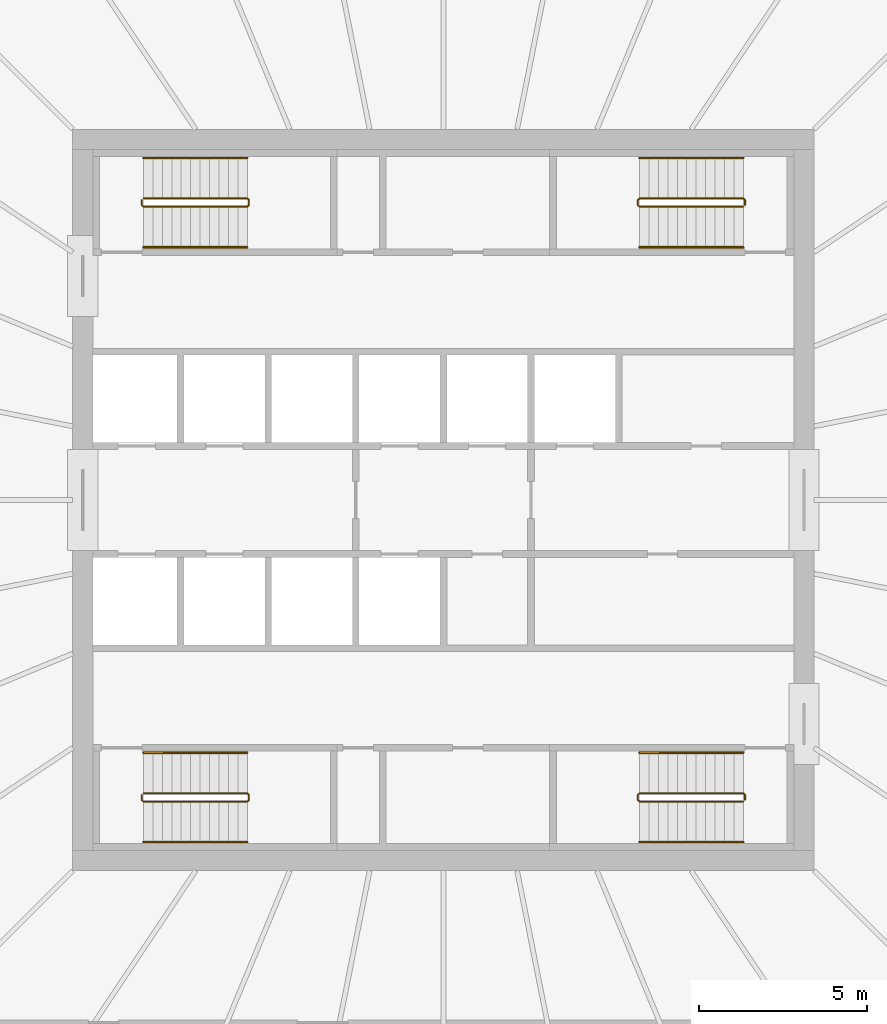
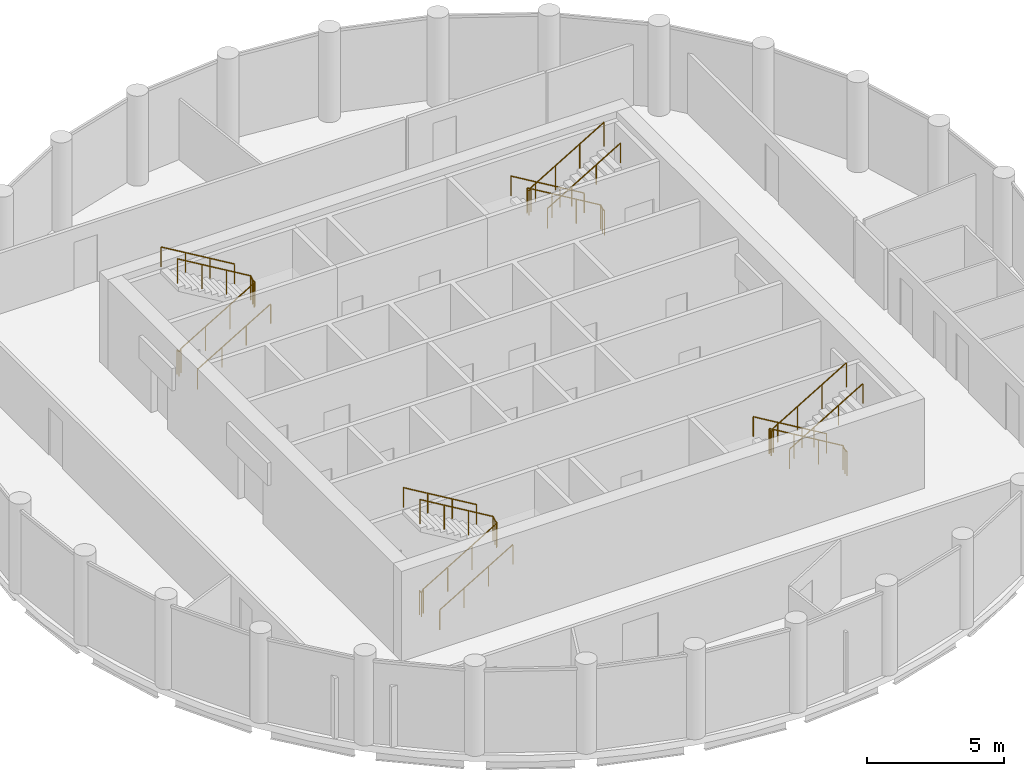
# One storey, part 7 of 7: 12 railings.
"""IFC4 building model written with IfcOpenShell, lengths in metres."""

from ifc_helpers import new_model, si_unit, direction, frame, origin, origin_2d, place, context, subcontext, project, spatial, circle, extrude, material, type_object, element, save


model = new_model("IFC4")

# Units and contexts
model_context = context("Model", 3, precision=1e-05, world=origin(), true_north=direction((0.0, 1.0)))
body_context = subcontext(model_context, "Body", "Model", "MODEL_VIEW")
ifc_project = project(units=[si_unit("LENGTHUNIT", "METRE"), si_unit("AREAUNIT", "SQUARE_METRE"), si_unit("VOLUMEUNIT", "CUBIC_METRE"), si_unit("PLANEANGLEUNIT", "RADIAN"), si_unit("MASSUNIT", "GRAM", prefix="KILO")], contexts=[model_context])

# Site, building, storey
site_placement = place(None, origin())
site = spatial("IfcSite", under=ifc_project, at=site_placement, CompositionType="ELEMENT")
building_placement = place(site_placement, origin())
building = spatial("IfcBuilding", under=site, at=building_placement, Name="Corvane Civic Tower", CompositionType="ELEMENT")
storey_placement = place(building_placement, frame((0.0, 0.0, 352.5)))
storey = spatial("IfcBuildingStorey", under=building, at=storey_placement, Name="L84", CompositionType="ELEMENT", Elevation=352.5)

# Railings
ifc_material_1 = material(Name="Steel ASTM A572 Gr 50", Category="steel")
railing_type_1 = type_object("IfcRailingType", Name="ST-GUARD-1100", PredefinedType="GUARDRAIL", material=ifc_material_1)
railing_1_placement = place(storey_placement, frame((8.949951171875, 8.75, 0.0)))
element("IfcRailing", 1, at=railing_1_placement, inside=storey, type_object=railing_type_1, Name="L84 ST1 stair guard 1", PredefinedType="GUARDRAIL", context=body_context, shape_type="SweptSolid", body=[
    extrude(circle(Radius=0.02392578125, at=origin_2d()), frame((0.0, 0.0, 1.076171875), z_axis=(0.0, 1.0, 0.0), x_axis=(-1.0, 0.0, 0.0)), (0.0, 0.0, 1.0), 0.14990234375),
    extrude(circle(Radius=0.02392578125, at=origin_2d()), frame((0.0, 0.14990234375, 1.076171875), z_axis=(-0.27628659633, 0.27628659633, 0.920506074601), x_axis=(-0.707106781187, -0.707106781187, 0.0)), (0.0, 0.0, 1.0), 0.18115234375),
    extrude(circle(Radius=0.02392578125, at=origin_2d()), frame((-0.050048828125, 0.199951171875, 1.24267578125), z_axis=(-0.859290745958, 0.0, 0.51148745235), x_axis=(0.0, -1.0, 0.0)), (0.0, 0.0, 1.0), 3.584228515625),
    extrude(circle(Radius=0.02392578125, at=origin_2d()), frame((-3.1298828125, 0.199951171875, 3.076171875), z_axis=(-0.707106781187, -0.707106781187, 0.0), x_axis=(0.707106781187, -0.707106781187, 0.0)), (0.0, 0.0, 1.0), 0.07080078125),
    extrude(circle(Radius=0.02392578125, at=origin_2d()), frame((-3.179931640625, 0.14990234375, 3.076171875), z_axis=(0.0, -1.0, 0.0), x_axis=(1.0, 0.0, 0.0)), (0.0, 0.0, 1.0), 0.14990234375),
    extrude(circle(Radius=0.02392578125, at=origin_2d()), frame((-3.179931640625, 0.0, 3.076171875), z_axis=(0.27628659633, -0.27628659633, 0.920506074601), x_axis=(0.707106781187, 0.707106781187, 0.0)), (0.0, 0.0, 1.0), 0.18115234375),
    extrude(circle(Radius=0.02392578125, at=origin_2d()), frame((-3.1298828125, -0.050048828125, 3.24267578125), z_axis=(0.859290745958, 0.0, 0.51148745235), x_axis=(0.0, 1.0, 0.0)), (0.0, 0.0, 1.0), 3.584228515625),
    extrude(circle(Radius=0.02099609375, at=origin_2d()), origin(), (0.0, 0.0, 1.0), 1.052001953125),
    extrude(circle(Radius=0.02099609375, at=origin_2d()), frame((0.0, 0.14990234375, 0.0)), (0.0, 0.0, 1.0), 1.052001953125),
    extrude(circle(Radius=0.02099609375, at=origin_2d()), frame((-0.050048828125, 0.199951171875, 0.166748046875)), (0.0, 0.0, 1.0), 1.052001953125),
    extrude(circle(Radius=0.02099609375, at=origin_2d()), frame((-1.07666015625, 0.199951171875, 0.77783203125)), (0.0, 0.0, 1.0), 1.052001953125),
    extrude(circle(Radius=0.02099609375, at=origin_2d()), frame((-2.103271484375, 0.199951171875, 1.388916015625)), (0.0, 0.0, 1.0), 1.052001953125),
    extrude(circle(Radius=0.02099609375, at=origin_2d()), frame((-3.1298828125, 0.199951171875, 2.0)), (0.0, 0.0, 1.0), 1.052001953125),
    extrude(circle(Radius=0.02099609375, at=origin_2d()), frame((-3.179931640625, 0.14990234375, 2.0)), (0.0, 0.0, 1.0), 1.052001953125),
    extrude(circle(Radius=0.02099609375, at=origin_2d()), frame((-3.179931640625, 0.0, 2.0)), (0.0, 0.0, 1.0), 1.052001953125),
    extrude(circle(Radius=0.02099609375, at=origin_2d()), frame((-3.1298828125, -0.050048828125, 2.166748046875)), (0.0, 0.0, 1.0), 1.052001953125),
    extrude(circle(Radius=0.02099609375, at=origin_2d()), frame((-2.103271484375, -0.050048828125, 2.77783203125)), (0.0, 0.0, 1.0), 1.052001953125),
    extrude(circle(Radius=0.02099609375, at=origin_2d()), frame((-1.07666015625, -0.050048828125, 3.388916015625)), (0.0, 0.0, 1.0), 1.052001953125),
    extrude(circle(Radius=0.02099609375, at=origin_2d()), frame((-0.050048828125, -0.050048828125, 4.0)), (0.0, 0.0, 1.0), 1.052001953125),
])
railing_2_placement = place(storey_placement, frame((8.949951171875, -8.89990234375, 0.0)))
element("IfcRailing", 2, at=railing_2_placement, inside=storey, type_object=railing_type_1, Name="L84 ST2 stair guard 1", PredefinedType="GUARDRAIL", context=body_context, shape_type="SweptSolid", body=[
    extrude(circle(Radius=0.02392578125, at=origin_2d()), frame((0.0, 0.0, 1.076171875), z_axis=(0.0, 1.0, 0.0), x_axis=(-1.0, 0.0, 0.0)), (0.0, 0.0, 1.0), 0.14990234375),
    extrude(circle(Radius=0.02392578125, at=origin_2d()), frame((0.0, 0.14990234375, 1.076171875), z_axis=(-0.27628659633, 0.27628659633, 0.920506074601), x_axis=(-0.707106781187, -0.707106781187, 0.0)), (0.0, 0.0, 1.0), 0.18115234375),
    extrude(circle(Radius=0.02392578125, at=origin_2d()), frame((-0.050048828125, 0.199951171875, 1.24267578125), z_axis=(-0.859290745958, 0.0, 0.51148745235), x_axis=(0.0, -1.0, 0.0)), (0.0, 0.0, 1.0), 3.584228515625),
    extrude(circle(Radius=0.02392578125, at=origin_2d()), frame((-3.1298828125, 0.199951171875, 3.076171875), z_axis=(-0.707106781187, -0.707106781187, 0.0), x_axis=(0.707106781187, -0.707106781187, 0.0)), (0.0, 0.0, 1.0), 0.07080078125),
    extrude(circle(Radius=0.02392578125, at=origin_2d()), frame((-3.179931640625, 0.14990234375, 3.076171875), z_axis=(0.0, -1.0, 0.0), x_axis=(1.0, 0.0, 0.0)), (0.0, 0.0, 1.0), 0.14990234375),
    extrude(circle(Radius=0.02392578125, at=origin_2d()), frame((-3.179931640625, 0.0, 3.076171875), z_axis=(0.27628659633, -0.27628659633, 0.920506074601), x_axis=(0.707106781187, 0.707106781187, 0.0)), (0.0, 0.0, 1.0), 0.18115234375),
    extrude(circle(Radius=0.02392578125, at=origin_2d()), frame((-3.1298828125, -0.050048828125, 3.24267578125), z_axis=(0.859290745958, 0.0, 0.51148745235), x_axis=(0.0, 1.0, 0.0)), (0.0, 0.0, 1.0), 3.584228515625),
    extrude(circle(Radius=0.02099609375, at=origin_2d()), origin(), (0.0, 0.0, 1.0), 1.052001953125),
    extrude(circle(Radius=0.02099609375, at=origin_2d()), frame((0.0, 0.14990234375, 0.0)), (0.0, 0.0, 1.0), 1.052001953125),
    extrude(circle(Radius=0.02099609375, at=origin_2d()), frame((-0.050048828125, 0.199951171875, 0.166748046875)), (0.0, 0.0, 1.0), 1.052001953125),
    extrude(circle(Radius=0.02099609375, at=origin_2d()), frame((-1.07666015625, 0.199951171875, 0.77783203125)), (0.0, 0.0, 1.0), 1.052001953125),
    extrude(circle(Radius=0.02099609375, at=origin_2d()), frame((-2.103271484375, 0.199951171875, 1.388916015625)), (0.0, 0.0, 1.0), 1.052001953125),
    extrude(circle(Radius=0.02099609375, at=origin_2d()), frame((-3.1298828125, 0.199951171875, 2.0)), (0.0, 0.0, 1.0), 1.052001953125),
    extrude(circle(Radius=0.02099609375, at=origin_2d()), frame((-3.179931640625, 0.14990234375, 2.0)), (0.0, 0.0, 1.0), 1.052001953125),
    extrude(circle(Radius=0.02099609375, at=origin_2d()), frame((-3.179931640625, 0.0, 2.0)), (0.0, 0.0, 1.0), 1.052001953125),
    extrude(circle(Radius=0.02099609375, at=origin_2d()), frame((-3.1298828125, -0.050048828125, 2.166748046875)), (0.0, 0.0, 1.0), 1.052001953125),
    extrude(circle(Radius=0.02099609375, at=origin_2d()), frame((-2.103271484375, -0.050048828125, 2.77783203125)), (0.0, 0.0, 1.0), 1.052001953125),
    extrude(circle(Radius=0.02099609375, at=origin_2d()), frame((-1.07666015625, -0.050048828125, 3.388916015625)), (0.0, 0.0, 1.0), 1.052001953125),
    extrude(circle(Radius=0.02099609375, at=origin_2d()), frame((-0.050048828125, -0.050048828125, 4.0)), (0.0, 0.0, 1.0), 1.052001953125),
])
railing_3_placement = place(storey_placement, frame((-8.949951171875, -8.75, 0.0)))
element("IfcRailing", 3, at=railing_3_placement, inside=storey, type_object=railing_type_1, Name="L84 ST3 stair guard 1", PredefinedType="GUARDRAIL", context=body_context, shape_type="SweptSolid", body=[
    extrude(circle(Radius=0.02392578125, at=origin_2d()), frame((0.0, 0.0, 1.076171875), z_axis=(0.0, -1.0, 0.0), x_axis=(1.0, 0.0, 0.0)), (0.0, 0.0, 1.0), 0.14990234375),
    extrude(circle(Radius=0.02392578125, at=origin_2d()), frame((0.0, -0.14990234375, 1.076171875), z_axis=(0.27628659633, -0.27628659633, 0.920506074601), x_axis=(0.707106781187, 0.707106781187, 0.0)), (0.0, 0.0, 1.0), 0.18115234375),
    extrude(circle(Radius=0.02392578125, at=origin_2d()), frame((0.050048828125, -0.199951171875, 1.24267578125), z_axis=(0.859290745958, 0.0, 0.51148745235), x_axis=(0.0, 1.0, 0.0)), (0.0, 0.0, 1.0), 3.584228515625),
    extrude(circle(Radius=0.02392578125, at=origin_2d()), frame((3.1298828125, -0.199951171875, 3.076171875), z_axis=(0.707106781187, 0.707106781187, 0.0), x_axis=(-0.707106781187, 0.707106781187, 0.0)), (0.0, 0.0, 1.0), 0.07080078125),
    extrude(circle(Radius=0.02392578125, at=origin_2d()), frame((3.179931640625, -0.14990234375, 3.076171875), z_axis=(0.0, 1.0, 0.0), x_axis=(-1.0, 0.0, 0.0)), (0.0, 0.0, 1.0), 0.14990234375),
    extrude(circle(Radius=0.02392578125, at=origin_2d()), frame((3.179931640625, 0.0, 3.076171875), z_axis=(-0.27628659633, 0.27628659633, 0.920506074601), x_axis=(-0.707106781187, -0.707106781187, 0.0)), (0.0, 0.0, 1.0), 0.18115234375),
    extrude(circle(Radius=0.02392578125, at=origin_2d()), frame((3.1298828125, 0.050048828125, 3.24267578125), z_axis=(-0.859290745958, 0.0, 0.51148745235), x_axis=(0.0, -1.0, 0.0)), (0.0, 0.0, 1.0), 3.584228515625),
    extrude(circle(Radius=0.02099609375, at=origin_2d()), origin(), (0.0, 0.0, 1.0), 1.052001953125),
    extrude(circle(Radius=0.02099609375, at=origin_2d()), frame((0.0, -0.14990234375, 0.0)), (0.0, 0.0, 1.0), 1.052001953125),
    extrude(circle(Radius=0.02099609375, at=origin_2d()), frame((0.050048828125, -0.199951171875, 0.166748046875)), (0.0, 0.0, 1.0), 1.052001953125),
    extrude(circle(Radius=0.02099609375, at=origin_2d()), frame((1.07666015625, -0.199951171875, 0.77783203125)), (0.0, 0.0, 1.0), 1.052001953125),
    extrude(circle(Radius=0.02099609375, at=origin_2d()), frame((2.103271484375, -0.199951171875, 1.388916015625)), (0.0, 0.0, 1.0), 1.052001953125),
    extrude(circle(Radius=0.02099609375, at=origin_2d()), frame((3.1298828125, -0.199951171875, 2.0)), (0.0, 0.0, 1.0), 1.052001953125),
    extrude(circle(Radius=0.02099609375, at=origin_2d()), frame((3.179931640625, -0.14990234375, 2.0)), (0.0, 0.0, 1.0), 1.052001953125),
    extrude(circle(Radius=0.02099609375, at=origin_2d()), frame((3.179931640625, 0.0, 2.0)), (0.0, 0.0, 1.0), 1.052001953125),
    extrude(circle(Radius=0.02099609375, at=origin_2d()), frame((3.1298828125, 0.050048828125, 2.166748046875)), (0.0, 0.0, 1.0), 1.052001953125),
    extrude(circle(Radius=0.02099609375, at=origin_2d()), frame((2.103271484375, 0.050048828125, 2.77783203125)), (0.0, 0.0, 1.0), 1.052001953125),
    extrude(circle(Radius=0.02099609375, at=origin_2d()), frame((1.07666015625, 0.050048828125, 3.388916015625)), (0.0, 0.0, 1.0), 1.052001953125),
    extrude(circle(Radius=0.02099609375, at=origin_2d()), frame((0.050048828125, 0.050048828125, 4.0)), (0.0, 0.0, 1.0), 1.052001953125),
])
railing_4_placement = place(storey_placement, frame((-8.949951171875, 8.89990234375, 0.0)))
element("IfcRailing", 4, at=railing_4_placement, inside=storey, type_object=railing_type_1, Name="L84 ST4 stair guard 1", PredefinedType="GUARDRAIL", context=body_context, shape_type="SweptSolid", body=[
    extrude(circle(Radius=0.02392578125, at=origin_2d()), frame((0.0, 0.0, 1.076171875), z_axis=(0.0, -1.0, 0.0), x_axis=(1.0, 0.0, 0.0)), (0.0, 0.0, 1.0), 0.14990234375),
    extrude(circle(Radius=0.02392578125, at=origin_2d()), frame((0.0, -0.14990234375, 1.076171875), z_axis=(0.27628659633, -0.27628659633, 0.920506074601), x_axis=(0.707106781187, 0.707106781187, 0.0)), (0.0, 0.0, 1.0), 0.18115234375),
    extrude(circle(Radius=0.02392578125, at=origin_2d()), frame((0.050048828125, -0.199951171875, 1.24267578125), z_axis=(0.859290745958, 0.0, 0.51148745235), x_axis=(0.0, 1.0, 0.0)), (0.0, 0.0, 1.0), 3.584228515625),
    extrude(circle(Radius=0.02392578125, at=origin_2d()), frame((3.1298828125, -0.199951171875, 3.076171875), z_axis=(0.707106781187, 0.707106781187, 0.0), x_axis=(-0.707106781187, 0.707106781187, 0.0)), (0.0, 0.0, 1.0), 0.07080078125),
    extrude(circle(Radius=0.02392578125, at=origin_2d()), frame((3.179931640625, -0.14990234375, 3.076171875), z_axis=(0.0, 1.0, 0.0), x_axis=(-1.0, 0.0, 0.0)), (0.0, 0.0, 1.0), 0.14990234375),
    extrude(circle(Radius=0.02392578125, at=origin_2d()), frame((3.179931640625, 0.0, 3.076171875), z_axis=(-0.27628659633, 0.27628659633, 0.920506074601), x_axis=(-0.707106781187, -0.707106781187, 0.0)), (0.0, 0.0, 1.0), 0.18115234375),
    extrude(circle(Radius=0.02392578125, at=origin_2d()), frame((3.1298828125, 0.050048828125, 3.24267578125), z_axis=(-0.859290745958, 0.0, 0.51148745235), x_axis=(0.0, -1.0, 0.0)), (0.0, 0.0, 1.0), 3.584228515625),
    extrude(circle(Radius=0.02099609375, at=origin_2d()), origin(), (0.0, 0.0, 1.0), 1.052001953125),
    extrude(circle(Radius=0.02099609375, at=origin_2d()), frame((0.0, -0.14990234375, 0.0)), (0.0, 0.0, 1.0), 1.052001953125),
    extrude(circle(Radius=0.02099609375, at=origin_2d()), frame((0.050048828125, -0.199951171875, 0.166748046875)), (0.0, 0.0, 1.0), 1.052001953125),
    extrude(circle(Radius=0.02099609375, at=origin_2d()), frame((1.07666015625, -0.199951171875, 0.77783203125)), (0.0, 0.0, 1.0), 1.052001953125),
    extrude(circle(Radius=0.02099609375, at=origin_2d()), frame((2.103271484375, -0.199951171875, 1.388916015625)), (0.0, 0.0, 1.0), 1.052001953125),
    extrude(circle(Radius=0.02099609375, at=origin_2d()), frame((3.1298828125, -0.199951171875, 2.0)), (0.0, 0.0, 1.0), 1.052001953125),
    extrude(circle(Radius=0.02099609375, at=origin_2d()), frame((3.179931640625, -0.14990234375, 2.0)), (0.0, 0.0, 1.0), 1.052001953125),
    extrude(circle(Radius=0.02099609375, at=origin_2d()), frame((3.179931640625, 0.0, 2.0)), (0.0, 0.0, 1.0), 1.052001953125),
    extrude(circle(Radius=0.02099609375, at=origin_2d()), frame((3.1298828125, 0.050048828125, 2.166748046875)), (0.0, 0.0, 1.0), 1.052001953125),
    extrude(circle(Radius=0.02099609375, at=origin_2d()), frame((2.103271484375, 0.050048828125, 2.77783203125)), (0.0, 0.0, 1.0), 1.052001953125),
    extrude(circle(Radius=0.02099609375, at=origin_2d()), frame((1.07666015625, 0.050048828125, 3.388916015625)), (0.0, 0.0, 1.0), 1.052001953125),
    extrude(circle(Radius=0.02099609375, at=origin_2d()), frame((0.050048828125, 0.050048828125, 4.0)), (0.0, 0.0, 1.0), 1.052001953125),
])
ifc_material_2 = material(Name="Steel ASTM A572 Gr 50", Category="steel")
railing_type_2 = type_object("IfcRailingType", Name="ST-HANDRAIL-900", PredefinedType="HANDRAIL", material=ifc_material_2)
railing_5_placement = place(storey_placement, frame((8.89990234375, 10.14990234375, 0.166748046875)))
element("IfcRailing", 5, at=railing_5_placement, inside=storey, type_object=railing_type_2, Name="L84 ST1 stair handrail 1", PredefinedType="HANDRAIL", context=body_context, shape_type="SweptSolid", body=[
    extrude(circle(Radius=0.02392578125, at=origin_2d()), frame((0.0, 0.0, 0.8759765625), z_axis=(-0.859290745958, 0.0, 0.51148745235), x_axis=(0.0, -1.0, 0.0)), (0.0, 0.0, 1.0), 3.584228515625),
    extrude(circle(Radius=0.02099609375, at=origin_2d()), origin(), (0.0, 0.0, 1.0), 0.851806640625),
    extrude(circle(Radius=0.02099609375, at=origin_2d()), frame((-1.026611328125, 0.0, 0.611083984375)), (0.0, 0.0, 1.0), 0.851806640625),
    extrude(circle(Radius=0.02099609375, at=origin_2d()), frame((-2.05322265625, 0.0, 1.22216796875)), (0.0, 0.0, 1.0), 0.851806640625),
    extrude(circle(Radius=0.02099609375, at=origin_2d()), frame((-3.079833984375, 0.0, 1.833251953125)), (0.0, 0.0, 1.0), 0.851806640625),
])
railing_6_placement = place(storey_placement, frame((5.820068359375, 7.5, 2.166748046875)))
element("IfcRailing", 6, at=railing_6_placement, inside=storey, type_object=railing_type_2, Name="L84 ST1 stair handrail 2", PredefinedType="HANDRAIL", context=body_context, shape_type="SweptSolid", body=[
    extrude(circle(Radius=0.02392578125, at=origin_2d()), frame((0.0, 0.0, 0.8759765625), z_axis=(0.859290745958, 0.0, 0.51148745235), x_axis=(0.0, 1.0, 0.0)), (0.0, 0.0, 1.0), 3.584228515625),
    extrude(circle(Radius=0.02099609375, at=origin_2d()), origin(), (0.0, 0.0, 1.0), 0.851806640625),
    extrude(circle(Radius=0.02099609375, at=origin_2d()), frame((1.026611328125, 0.0, 0.611083984375)), (0.0, 0.0, 1.0), 0.851806640625),
    extrude(circle(Radius=0.02099609375, at=origin_2d()), frame((2.05322265625, 0.0, 1.22216796875)), (0.0, 0.0, 1.0), 0.851806640625),
    extrude(circle(Radius=0.02099609375, at=origin_2d()), frame((3.079833984375, 0.0, 1.833251953125)), (0.0, 0.0, 1.0), 0.851806640625),
])
railing_7_placement = place(storey_placement, frame((8.89990234375, -7.5, 0.166748046875)))
element("IfcRailing", 7, at=railing_7_placement, inside=storey, type_object=railing_type_2, Name="L84 ST2 stair handrail 1", PredefinedType="HANDRAIL", context=body_context, shape_type="SweptSolid", body=[
    extrude(circle(Radius=0.02392578125, at=origin_2d()), frame((0.0, 0.0, 0.8759765625), z_axis=(-0.859290745958, 0.0, 0.51148745235), x_axis=(0.0, -1.0, 0.0)), (0.0, 0.0, 1.0), 3.584228515625),
    extrude(circle(Radius=0.02099609375, at=origin_2d()), origin(), (0.0, 0.0, 1.0), 0.851806640625),
    extrude(circle(Radius=0.02099609375, at=origin_2d()), frame((-1.026611328125, 0.0, 0.611083984375)), (0.0, 0.0, 1.0), 0.851806640625),
    extrude(circle(Radius=0.02099609375, at=origin_2d()), frame((-2.05322265625, 0.0, 1.22216796875)), (0.0, 0.0, 1.0), 0.851806640625),
    extrude(circle(Radius=0.02099609375, at=origin_2d()), frame((-3.079833984375, 0.0, 1.833251953125)), (0.0, 0.0, 1.0), 0.851806640625),
])
for number, where, name in (
    (8, (5.820068359375, -10.14990234375, 2.166748046875), "L84 ST2 stair handrail 2"),
    (9, (-8.89990234375, -10.14990234375, 0.166748046875), "L84 ST3 stair handrail 1"),
):
    element("IfcRailing", number, at=place(storey_placement, frame(where)), inside=storey, type_object=railing_type_2, Name=name, PredefinedType="HANDRAIL", context=body_context, shape_type="SweptSolid", body=[
        extrude(circle(Radius=0.02392578125, at=origin_2d()), frame((0.0, 0.0, 0.8759765625), z_axis=(0.859290745958, 0.0, 0.51148745235), x_axis=(0.0, 1.0, 0.0)), (0.0, 0.0, 1.0), 3.584228515625),
        extrude(circle(Radius=0.02099609375, at=origin_2d()), origin(), (0.0, 0.0, 1.0), 0.851806640625),
        extrude(circle(Radius=0.02099609375, at=origin_2d()), frame((1.026611328125, 0.0, 0.611083984375)), (0.0, 0.0, 1.0), 0.851806640625),
        extrude(circle(Radius=0.02099609375, at=origin_2d()), frame((2.05322265625, 0.0, 1.22216796875)), (0.0, 0.0, 1.0), 0.851806640625),
        extrude(circle(Radius=0.02099609375, at=origin_2d()), frame((3.079833984375, 0.0, 1.833251953125)), (0.0, 0.0, 1.0), 0.851806640625),
    ])
railing_8_placement = place(storey_placement, frame((-5.820068359375, -7.5, 2.166748046875)))
element("IfcRailing", 10, at=railing_8_placement, inside=storey, type_object=railing_type_2, Name="L84 ST3 stair handrail 2", PredefinedType="HANDRAIL", context=body_context, shape_type="SweptSolid", body=[
    extrude(circle(Radius=0.02392578125, at=origin_2d()), frame((0.0, 0.0, 0.8759765625), z_axis=(-0.859290745958, 0.0, 0.51148745235), x_axis=(0.0, -1.0, 0.0)), (0.0, 0.0, 1.0), 3.584228515625),
    extrude(circle(Radius=0.02099609375, at=origin_2d()), origin(), (0.0, 0.0, 1.0), 0.851806640625),
    extrude(circle(Radius=0.02099609375, at=origin_2d()), frame((-1.026611328125, 0.0, 0.611083984375)), (0.0, 0.0, 1.0), 0.851806640625),
    extrude(circle(Radius=0.02099609375, at=origin_2d()), frame((-2.05322265625, 0.0, 1.22216796875)), (0.0, 0.0, 1.0), 0.851806640625),
    extrude(circle(Radius=0.02099609375, at=origin_2d()), frame((-3.079833984375, 0.0, 1.833251953125)), (0.0, 0.0, 1.0), 0.851806640625),
])
railing_9_placement = place(storey_placement, frame((-8.89990234375, 7.5, 0.166748046875)))
element("IfcRailing", 11, at=railing_9_placement, inside=storey, type_object=railing_type_2, Name="L84 ST4 stair handrail 1", PredefinedType="HANDRAIL", context=body_context, shape_type="SweptSolid", body=[
    extrude(circle(Radius=0.02392578125, at=origin_2d()), frame((0.0, 0.0, 0.8759765625), z_axis=(0.859290745958, 0.0, 0.51148745235), x_axis=(0.0, 1.0, 0.0)), (0.0, 0.0, 1.0), 3.584228515625),
    extrude(circle(Radius=0.02099609375, at=origin_2d()), origin(), (0.0, 0.0, 1.0), 0.851806640625),
    extrude(circle(Radius=0.02099609375, at=origin_2d()), frame((1.026611328125, 0.0, 0.611083984375)), (0.0, 0.0, 1.0), 0.851806640625),
    extrude(circle(Radius=0.02099609375, at=origin_2d()), frame((2.05322265625, 0.0, 1.22216796875)), (0.0, 0.0, 1.0), 0.851806640625),
    extrude(circle(Radius=0.02099609375, at=origin_2d()), frame((3.079833984375, 0.0, 1.833251953125)), (0.0, 0.0, 1.0), 0.851806640625),
])
railing_10_placement = place(storey_placement, frame((-5.820068359375, 10.14990234375, 2.166748046875)))
element("IfcRailing", 12, at=railing_10_placement, inside=storey, type_object=railing_type_2, Name="L84 ST4 stair handrail 2", PredefinedType="HANDRAIL", context=body_context, shape_type="SweptSolid", body=[
    extrude(circle(Radius=0.02392578125, at=origin_2d()), frame((0.0, 0.0, 0.8759765625), z_axis=(-0.859290745958, 0.0, 0.51148745235), x_axis=(0.0, -1.0, 0.0)), (0.0, 0.0, 1.0), 3.584228515625),
    extrude(circle(Radius=0.02099609375, at=origin_2d()), origin(), (0.0, 0.0, 1.0), 0.851806640625),
    extrude(circle(Radius=0.02099609375, at=origin_2d()), frame((-1.026611328125, 0.0, 0.611083984375)), (0.0, 0.0, 1.0), 0.851806640625),
    extrude(circle(Radius=0.02099609375, at=origin_2d()), frame((-2.05322265625, 0.0, 1.22216796875)), (0.0, 0.0, 1.0), 0.851806640625),
    extrude(circle(Radius=0.02099609375, at=origin_2d()), frame((-3.079833984375, 0.0, 1.833251953125)), (0.0, 0.0, 1.0), 0.851806640625),
])

save(model, "model.ifc")
